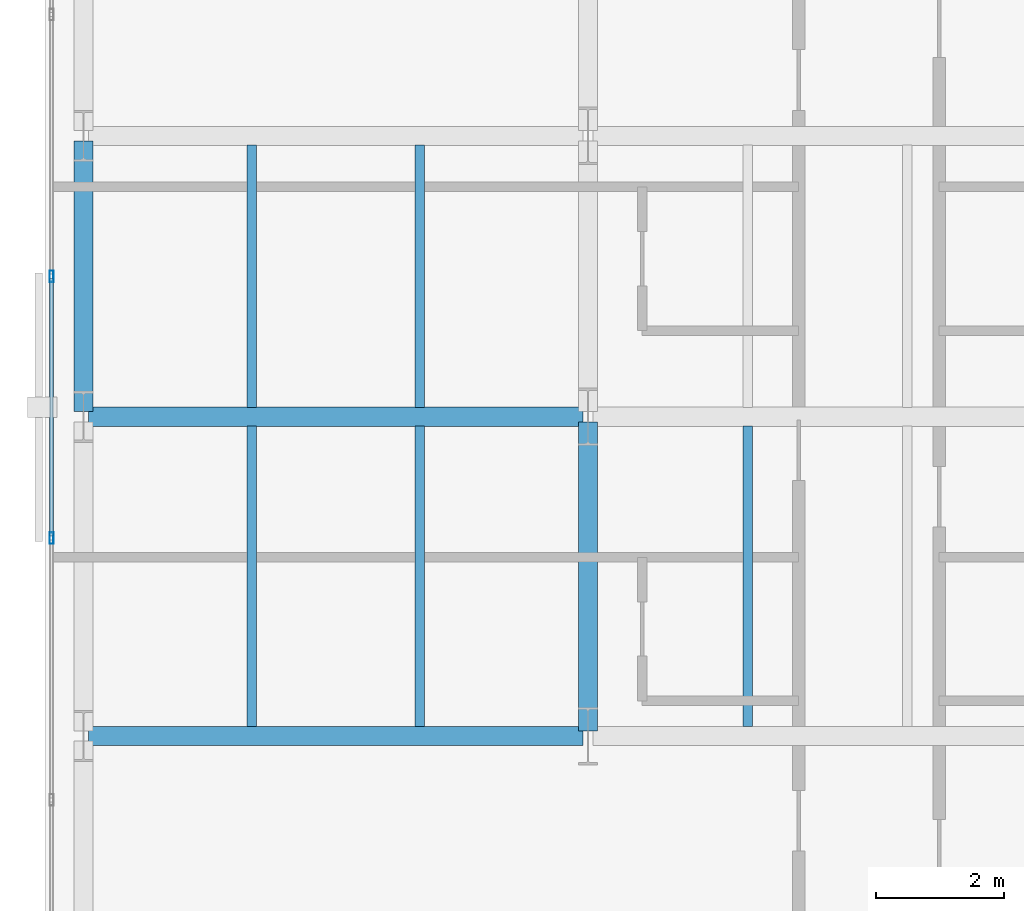
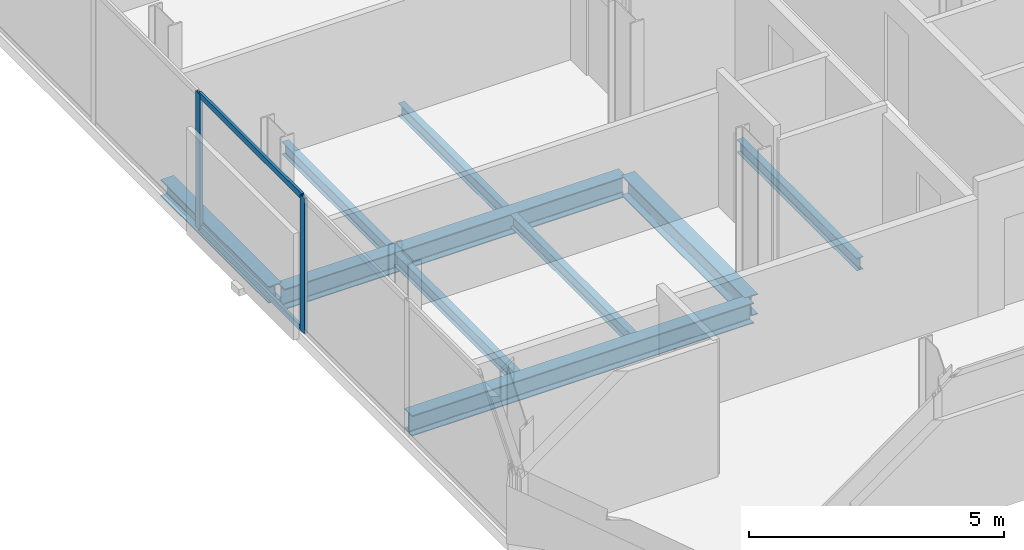
# One storey, part 5 of 33: 9 beams, 4 members, 1 element without a shape of its own.
"""IFC4 building model written with IfcOpenShell, lengths in metres."""

import ifcopenshell
import ifcopenshell.guid

model = None  # the IFC model being written
_history = None  # IfcOwnerHistory: only IFC2X3 demands one
_inside = {}  # id of a spatial element -> (the spatial element, [elements in it])
_under = {}  # id of a project, library or spatial element -> (it, [spatial elements below it])
_declared = {}  # id of a project -> (the project, [libraries it declares])
_typed = {}  # id of a type object -> (the type object, [elements of that type])
_made_of = {}  # id of a material, layer set ... -> (it, [elements and type objects made of it])


def new_model(schema):
    """Start an empty IFC model of exactly this schema.

    Asked for "IFC4X3", IfcOpenShell would pick the latest addendum, in which some entities
    have other attributes; the version numbers below select the first issue.
    IFC2X3 requires an IfcOwnerHistory on every rooted entity: one is made here for all.
    """
    global model, _history
    if schema == "IFC4X3":
        model = ifcopenshell.file(schema_version=(4, 3, 0, 0))
    else:
        model = ifcopenshell.file(schema=schema)
    _inside.clear()
    _under.clear()
    _declared.clear()
    _typed.clear()
    _made_of.clear()
    _history = None
    if model.schema == "IFC2X3":
        org = make("IfcOrganization", Name="unknown")
        user = make(
            "IfcPersonAndOrganization",
            ThePerson=make("IfcPerson", FamilyName="unknown"),
            TheOrganization=org,
        )
        app = make(
            "IfcApplication",
            ApplicationDeveloper=org,
            Version="unknown",
            ApplicationFullName="unknown",
            ApplicationIdentifier="unknown",
        )
        _history = make(
            "IfcOwnerHistory",
            OwningUser=user,
            OwningApplication=app,
            ChangeAction="ADDED",
            CreationDate=0,
        )
    return model


def make(cls, **values):
    """One entity of the class cls with the attributes given. An attribute that is None is left unset."""
    return model.create_entity(
        cls, **{name: value for name, value in values.items() if value is not None}
    )


def rooted(cls, **values):
    """An entity with a GlobalId (a new one), such as an element, a storey or a relation."""
    return make(cls, GlobalId=ifcopenshell.guid.new(), OwnerHistory=_history, **values)


def si_unit(unit_type, name, prefix=None):
    """IfcSIUnit, for example si_unit("LENGTHUNIT", "METRE", prefix="MILLI")."""
    return make("IfcSIUnit", UnitType=unit_type, Prefix=prefix, Name=name)


def assignment(units):
    """IfcUnitAssignment: the units of a project."""
    return None if units is None else make("IfcUnitAssignment", Units=units)


def point(xyz):
    """IfcCartesianPoint."""
    return None if xyz is None else make("IfcCartesianPoint", Coordinates=xyz)


def direction(xyz):
    """IfcDirection."""
    return None if xyz is None else make("IfcDirection", DirectionRatios=xyz)


def frame(location, z_axis=None, x_axis=None):
    """IfcAxis2Placement3D, a coordinate frame: its origin and axes. An axis left out is left unset."""
    return make(
        "IfcAxis2Placement3D",
        Location=point(location),
        Axis=direction(z_axis),
        RefDirection=direction(x_axis),
    )


def frame_2d(location, x_axis=None):
    """IfcAxis2Placement2D, a coordinate frame in the plane: its origin and x axis."""
    return make(
        "IfcAxis2Placement2D", Location=point(location), RefDirection=direction(x_axis)
    )


def origin():
    """The frame at (0, 0, 0) with its axes left unset."""
    return frame((0.0, 0.0, 0.0))


def origin_2d():
    """The frame at (0, 0) in the plane with its x axis left unset."""
    return frame_2d((0.0, 0.0))


def place(relative_to, where):
    """IfcLocalPlacement: puts the frame where relative to a parent placement (None: the world)."""
    return make(
        "IfcLocalPlacement", PlacementRelTo=relative_to, RelativePlacement=where
    )


def context(
    kind, dimensions, precision=None, world=None, true_north=None, identifier=None
):
    """IfcGeometricRepresentationContext, for example the 3D "Model" context."""
    return make(
        "IfcGeometricRepresentationContext",
        ContextIdentifier=identifier,
        ContextType=kind,
        CoordinateSpaceDimension=dimensions,
        Precision=precision,
        WorldCoordinateSystem=world,
        TrueNorth=true_north,
    )


def subcontext(parent, identifier, kind, view, scale=None):
    """IfcGeometricRepresentationSubContext, for example "Body" below "Model"."""
    return make(
        "IfcGeometricRepresentationSubContext",
        ContextIdentifier=identifier,
        ContextType=kind,
        ParentContext=parent,
        TargetScale=scale,
        TargetView=view,
    )


def project(units=None, contexts=None):
    """IfcProject with its units and contexts."""
    return rooted(
        "IfcProject",
        Name="project",
        RepresentationContexts=contexts,
        UnitsInContext=assignment(units),
    )


def spatial(cls, under=None, at=None, **own):
    """A site, building, storey or space (cls), placed at a placement, below another one or the project."""
    s = rooted(cls, ObjectPlacement=at, **own)
    if under is not None:
        _under.setdefault(under.id(), (under, []))[1].append(s)
    return s


def profile(cls, at=None, kind="AREA", **sizes):
    """A parametric profile (cls). Its sizes go by their IFC names, for example OverallWidth=200.0."""
    return make(cls, ProfileType=kind, Position=at, **sizes)


def hollow_rectangle(**sizes):
    """IfcRectangleHollowProfileDef."""
    return profile("IfcRectangleHollowProfileDef", **sizes)


def i_section(**sizes):
    """IfcIShapeProfileDef."""
    return profile("IfcIShapeProfileDef", **sizes)


def extrude(swept, where, along, depth):
    """IfcExtrudedAreaSolid: the profile swept, set in the frame where, extruded along a direction by depth."""
    return make(
        "IfcExtrudedAreaSolid",
        SweptArea=swept,
        Position=where,
        ExtrudedDirection=direction(along),
        Depth=depth,
    )


def shape(context_of_items, identifier, shape_type, items):
    """IfcShapeRepresentation: the items that make up one representation, for example the "Body"."""
    return make(
        "IfcShapeRepresentation",
        ContextOfItems=context_of_items,
        RepresentationIdentifier=identifier,
        RepresentationType=shape_type,
        Items=items,
    )


def material(Name=None, Category=None):
    """IfcMaterial."""
    return make("IfcMaterial", Name=Name, Category=Category)


def layer(
    of_material, thickness, ventilated=None, Name=None, Category=None, Priority=None
):
    """IfcMaterialLayer: one layer of a wall or slab, of a material (None: an air gap)."""
    return make(
        "IfcMaterialLayer",
        Material=of_material,
        LayerThickness=thickness,
        IsVentilated=ventilated,
        Name=Name,
        Category=Category,
        Priority=Priority,
    )


def layer_set(layers, Name=None):
    """IfcMaterialLayerSet."""
    return make("IfcMaterialLayerSet", MaterialLayers=layers, LayerSetName=Name)


def material_profile(
    of_material, cross_section, Name=None, Category=None, Priority=None
):
    """IfcMaterialProfile: a cross section and its material."""
    return make(
        "IfcMaterialProfile",
        Name=Name,
        Material=of_material,
        Profile=cross_section,
        Priority=Priority,
        Category=Category,
    )


def profile_set(profiles, Name=None, composite=None):
    """IfcMaterialProfileSet."""
    return make(
        "IfcMaterialProfileSet",
        Name=Name,
        MaterialProfiles=profiles,
        CompositeProfile=composite,
    )


def made_of(thing, what):
    """Note that an element or type object is made of a material, layer set ...; save() writes the relation."""
    if what is not None:
        _made_of.setdefault(what.id(), (what, []))[1].append(thing)
    return thing


def type_object(cls, material=None, **own):
    """A type object (cls), such as IfcWallType, which elements share."""
    return made_of(rooted(cls, **own), material)


def element(
    cls,
    number,
    at=None,
    inside=None,
    cuts=None,
    type_object=None,
    material=None,
    context=None,
    identifier="Body",
    shape_type=None,
    held_by="IfcProductDefinitionShape",
    body=None,
    shapes=None,
    **own,
):
    """One element of the class cls, such as IfcWall. Its Tag is "e" and its number.

    at: its placement. inside: the storey or other place that contains it. cuts: it is an
    opening in that element (IfcRelVoidsElement). A single representation is given by context,
    identifier, shape_type and body (its items); several are given by shapes. held_by: the class
    of the entity that holds the representations. save() writes the other relations.
    """
    e = rooted(cls, Tag="e%d" % number, ObjectPlacement=at, **own)
    if body is not None:
        shapes = [shape(context, identifier, shape_type, body)]
    if shapes is not None:
        e.Representation = make(held_by, Representations=shapes)
    if inside is not None:
        _inside.setdefault(inside.id(), (inside, []))[1].append(e)
    if cuts is not None:
        rooted(
            "IfcRelVoidsElement", RelatingBuildingElement=cuts, RelatedOpeningElement=e
        )
    if type_object is not None:
        _typed.setdefault(type_object.id(), (type_object, []))[1].append(e)
    return made_of(e, material)


def aggregate(whole, parts):
    """IfcRelAggregates: a whole, such as a stair, and the parts it consists of."""
    return rooted("IfcRelAggregates", RelatingObject=whole, RelatedObjects=parts)


def save(model, path):
    """Write the relations noted so far, then the file.

    IfcRelAggregates (storeys below a building ...), IfcRelContainedInSpatialStructure (elements
    in a storey), IfcRelDefinesByType, IfcRelAssociatesMaterial and IfcRelDeclares: one each for
    every whole, place, type object, material and project.
    """
    for whole, parts in _under.values():
        aggregate(whole, parts)
    for where, things in _inside.values():
        rooted(
            "IfcRelContainedInSpatialStructure",
            RelatedElements=things,
            RelatingStructure=where,
        )
    for kind, things in _typed.values():
        rooted("IfcRelDefinesByType", RelatedObjects=things, RelatingType=kind)
    for what, things in _made_of.values():
        rooted("IfcRelAssociatesMaterial", RelatedObjects=things, RelatingMaterial=what)
    for by, libraries in _declared.values():
        rooted("IfcRelDeclares", RelatingContext=by, RelatedDefinitions=libraries)
    model.write(path)


model = new_model("IFC4")

# Units and contexts
model_context = context("Model", 3, precision=1e-05, world=origin(), true_north=direction((0.0, 1.0)))
body_context = subcontext(model_context, "Body", "Model", "MODEL_VIEW")
ifc_project = project(units=[si_unit("LENGTHUNIT", "METRE"), si_unit("AREAUNIT", "SQUARE_METRE"), si_unit("VOLUMEUNIT", "CUBIC_METRE"), si_unit("PLANEANGLEUNIT", "RADIAN"), si_unit("MASSUNIT", "GRAM", prefix="KILO")], contexts=[model_context])

# Site, building, storey
site_placement = place(None, origin())
site = spatial("IfcSite", under=ifc_project, at=site_placement, CompositionType="ELEMENT")
building_placement = place(site_placement, origin())
building = spatial("IfcBuilding", under=site, at=building_placement, Name="Catumbela Crestline Tower", CompositionType="ELEMENT")
storey_placement = place(building_placement, frame((0.0, 0.0, 76.2)))
storey = spatial("IfcBuildingStorey", under=building, at=storey_placement, Name="L19", CompositionType="ELEMENT", Elevation=76.2)

# Beams
ifc_material_1 = material(Name="Structural steel S355J2", Category="steel")
ifc_material_profile_1 = material_profile(ifc_material_1, i_section(OverallWidth=0.3, OverallDepth=0.49, WebThickness=0.012, FlangeThickness=0.023, FilletRadius=0.027, at=origin_2d()), Name="HEA 500")
ifc_profile_set_1 = profile_set([ifc_material_profile_1], Name="Structural steel S355J2")
beam_type_1 = type_object("IfcBeamType", Name="BG-HEA500", PredefinedType="BEAM", material=ifc_profile_set_1)
for number, where, z_axis, x_axis, name in (
    (1, (0.68, 8.6, -0.505), (1.0, 0.0, 0.0), (0.0, 1.0, 0.0), "L19 Beam BM-L19-WEW48"),
    (2, (0.68, 13.6, -0.505), (1.0, 0.0, 0.0), (0.0, 1.0, 0.0), "L19 Beam BM-L19-WEW51"),
):
    element("IfcBeam", number, at=place(storey_placement, frame(where, z_axis=z_axis, x_axis=x_axis)), inside=storey, type_object=beam_type_1, Name=name, PredefinedType="BEAM", context=body_context, shape_type="SweptSolid", body=[
        extrude(i_section(OverallWidth=0.3, OverallDepth=0.49, WebThickness=0.012, FlangeThickness=0.023, FilletRadius=0.027, at=origin_2d()), origin(), (0.0, 0.0, 1.0), 7.74),
    ])
beam_1_placement = place(storey_placement, frame((8.5, 8.68, -0.505), z_axis=(0.0, 1.0, 0.0), x_axis=(-1.0, 0.0, 0.0)))
element("IfcBeam", 3, at=beam_1_placement, inside=storey, type_object=beam_type_1, Name="L19 Beam BM-L19-WNS61", PredefinedType="BEAM", context=body_context, shape_type="SweptSolid", body=[
    extrude(i_section(OverallWidth=0.3, OverallDepth=0.49, WebThickness=0.012, FlangeThickness=0.023, FilletRadius=0.027, at=origin_2d()), origin(), (0.0, 0.0, 1.0), 4.84),
])
ifc_material_profile_2 = material_profile(ifc_material_1, i_section(OverallWidth=0.15, OverallDepth=0.3, WebThickness=0.0071, FlangeThickness=0.0107, FilletRadius=0.015, at=origin_2d()), Name="IPE 300")
ifc_profile_set_2 = profile_set([ifc_material_profile_2], Name="Structural steel S355J2")
beam_type_2 = type_object("IfcBeamType", Name="BJ-IPE300", PredefinedType="JOIST", material=ifc_profile_set_2)
for number, where, z_axis, x_axis, name in (
    (4, (3.233, 8.747, -0.41), (0.0, 1.0, 0.0), (-1.0, 0.0, 0.0), "L19 Joist JS-L19-WG70"),
    (5, (5.867, 8.747, -0.41), (0.0, 1.0, 0.0), (-1.0, 0.0, 0.0), "L19 Joist JS-L19-WG71"),
    (6, (11.0, 8.747, -0.41), (0.0, 1.0, 0.0), (-1.0, 0.0, 0.0), "L19 Joist JS-L19-WG72"),
):
    element("IfcBeam", number, at=place(storey_placement, frame(where, z_axis=z_axis, x_axis=x_axis)), inside=storey, type_object=beam_type_2, Name=name, PredefinedType="JOIST", context=body_context, shape_type="SweptSolid", body=[
        extrude(i_section(OverallWidth=0.15, OverallDepth=0.3, WebThickness=0.0071, FlangeThickness=0.0107, FilletRadius=0.015, at=origin_2d()), origin(), (0.0, 0.0, 1.0), 4.706),
    ])
for number, where, z_axis, x_axis, name in (
    (7, (3.233, 13.747, -0.41), (0.0, 1.0, 0.0), (-1.0, 0.0, 0.0), "L19 Joist JS-L19-WG76"),
    (8, (5.867, 13.747, -0.41), (0.0, 1.0, 0.0), (-1.0, 0.0, 0.0), "L19 Joist JS-L19-WG77"),
):
    element("IfcBeam", number, at=place(storey_placement, frame(where, z_axis=z_axis, x_axis=x_axis)), inside=storey, type_object=beam_type_2, Name=name, PredefinedType="JOIST", context=body_context, shape_type="SweptSolid", body=[
        extrude(i_section(OverallWidth=0.15, OverallDepth=0.3, WebThickness=0.0071, FlangeThickness=0.0107, FilletRadius=0.015, at=origin_2d()), origin(), (0.0, 0.0, 1.0), 4.106),
    ])

# Curtain wall, members
ifc_material_2 = material(Name="Aluminium alloy AW-6060-T66", Category="aluminium")
ifc_layer = layer(ifc_material_2, 0.18, Name="Aluminium alloy AW-6060-T66")
ifc_layer_set = layer_set([ifc_layer], Name="Aluminium alloy AW-6060-T66")
curtain_wall_type = type_object("IfcCurtainWallType", Name="CWU-Z1", PredefinedType="USERDEFINED", material=ifc_layer_set)
curtain_wall_placement = place(storey_placement, origin())
curtain_wall = element("IfcCurtainWall", 9, at=curtain_wall_placement, inside=storey, type_object=curtain_wall_type, Name="L19 Unitised Curtain Wall CW-L19-E9S1", ObjectType="UNITISED", PredefinedType="USERDEFINED")
ifc_material_profile_3 = material_profile(ifc_material_2, hollow_rectangle(XDim=0.065, YDim=0.18, WallThickness=0.004, at=origin_2d()), Name="ALU 180x65x4")
ifc_profile_set_3 = profile_set([ifc_material_profile_3], Name="Aluminium alloy AW-6060-T66")
member_type_1 = type_object("IfcMemberType", Name="MUL-180X65", PredefinedType="MULLION", material=ifc_profile_set_3)
member_1_placement = place(storey_placement, frame((0.1, 15.8, 0.0), z_axis=(0.0, 0.0, 1.0), x_axis=(1.0, 0.0, 0.0)))
member_1 = element("IfcMember", 10, at=member_1_placement, type_object=member_type_1, Name="CWU-Z1 mullion 8", PredefinedType="MULLION", context=body_context, shape_type="SweptSolid", body=[
    extrude(hollow_rectangle(XDim=0.065, YDim=0.18, WallThickness=0.004, at=origin_2d()), origin(), (0.0, 0.0, 1.0), 3.24),
])
member_2_placement = place(storey_placement, frame((0.1, 11.7, 0.0), z_axis=(0.0, 0.0, 1.0), x_axis=(1.0, 0.0, 0.0)))
member_2 = element("IfcMember", 11, at=member_2_placement, type_object=member_type_1, Name="CWU-Z1 mullion 9", PredefinedType="MULLION", context=body_context, shape_type="SweptSolid", body=[
    extrude(hollow_rectangle(XDim=0.065, YDim=0.18, WallThickness=0.004, at=origin_2d()), origin(), (0.0, 0.0, 1.0), 3.24),
])

# Beam
ifc_material_profile_4 = material_profile(ifc_material_1, i_section(OverallWidth=0.3, OverallDepth=0.4, WebThickness=0.0135, FlangeThickness=0.024, FilletRadius=0.027, at=origin_2d()), Name="HEB 400")
ifc_profile_set_4 = profile_set([ifc_material_profile_4], Name="Structural steel S355J2")
beam_type_3 = type_object("IfcBeamType", Name="BS-HEB400", PredefinedType="SPANDREL", material=ifc_profile_set_4)
beam_2_placement = place(storey_placement, frame((0.6, 13.68, -0.46), z_axis=(0.0, 1.0, 0.0), x_axis=(-1.0, 0.0, 0.0)))
element("IfcBeam", 12, at=beam_2_placement, inside=storey, type_object=beam_type_3, Name="L19 Spandrel SP-L19-WNS59", PredefinedType="SPANDREL", context=body_context, shape_type="SweptSolid", body=[
    extrude(i_section(OverallWidth=0.3, OverallDepth=0.4, WebThickness=0.0135, FlangeThickness=0.024, FilletRadius=0.027, at=origin_2d()), origin(), (0.0, 0.0, 1.0), 4.24),
])

# Member
ifc_material_profile_5 = material_profile(ifc_material_2, hollow_rectangle(XDim=0.06, YDim=0.14, WallThickness=0.004, at=origin_2d()), Name="ALU 140x60x4")
ifc_profile_set_5 = profile_set([ifc_material_profile_5], Name="Aluminium alloy AW-6060-T66")
member_type_2 = type_object("IfcMemberType", Name="TRN-140X60", PredefinedType="USERDEFINED", material=ifc_profile_set_5)
member_3_placement = place(storey_placement, frame((0.1, 15.7675, 0.03), z_axis=(0.0, -1.0, 0.0), x_axis=(1.0, 0.0, 0.0)))
member_3 = element("IfcMember", 13, at=member_3_placement, type_object=member_type_2, Name="CWU-Z1 transom 8.1", ObjectType="TRANSOM", PredefinedType="USERDEFINED", context=body_context, shape_type="SweptSolid", body=[
    extrude(hollow_rectangle(XDim=0.06, YDim=0.14, WallThickness=0.004, at=origin_2d()), origin(), (0.0, 0.0, 1.0), 4.035),
])

member_4_placement = place(storey_placement, frame((0.1, 15.7675, 3.21), z_axis=(0.0, -1.0, 0.0), x_axis=(1.0, 0.0, 0.0)))
member_4 = element("IfcMember", 14, at=member_4_placement, type_object=member_type_2, Name="CWU-Z1 transom 8.2", ObjectType="TRANSOM", PredefinedType="USERDEFINED", context=body_context, shape_type="SweptSolid", body=[
    extrude(hollow_rectangle(XDim=0.06, YDim=0.14, WallThickness=0.004, at=origin_2d()), origin(), (0.0, 0.0, 1.0), 4.035),
])

aggregate(curtain_wall, [member_1, member_2, member_3, member_4])

save(model, "model.ifc")
